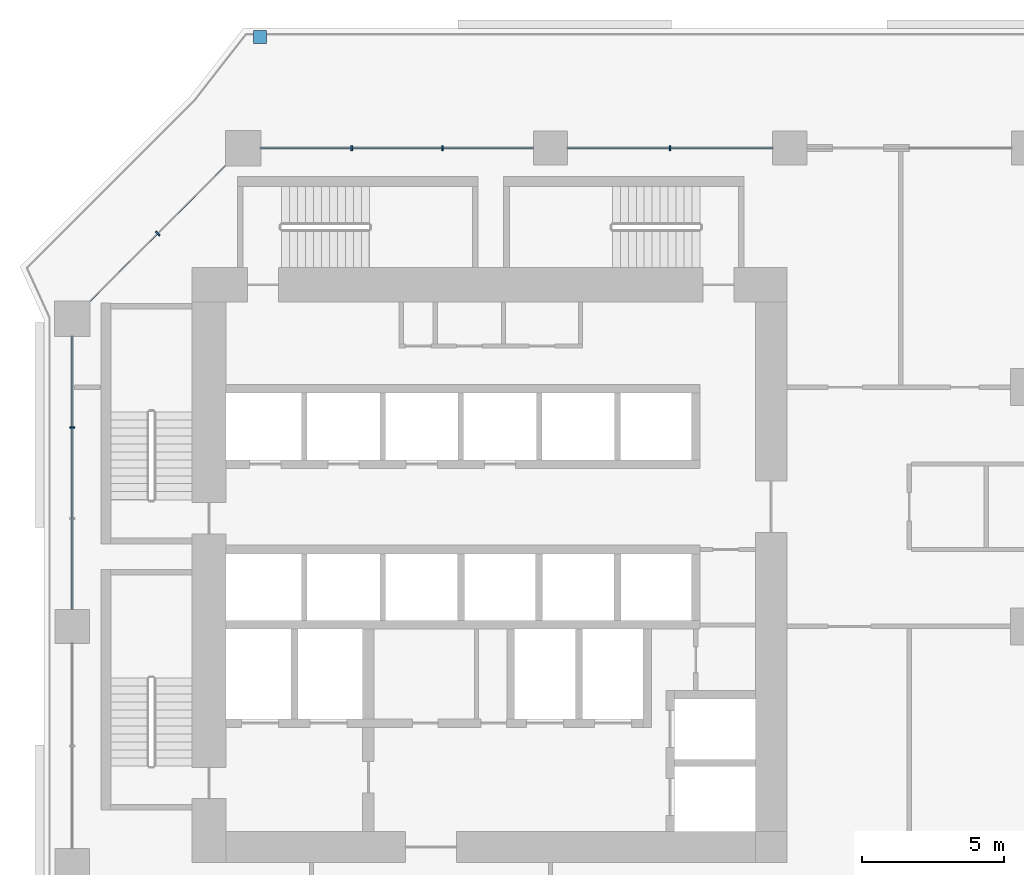
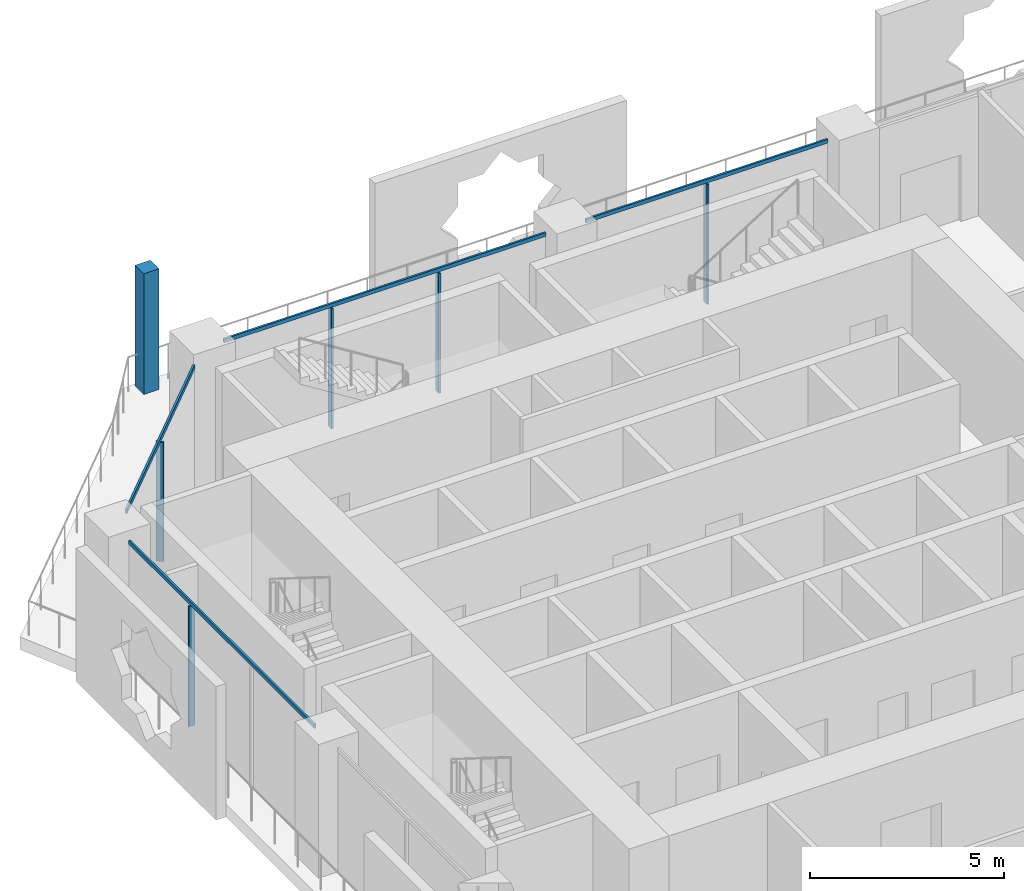
# One storey, part 8 of 26: 10 members, 4 elements without a shape of their own.
"""IFC4 building model written with IfcOpenShell, lengths in metres."""

from ifc_helpers import new_model, si_unit, direction, frame, origin, origin_2d, place, context, subcontext, project, spatial, rectangle, extrude, material, layer, layer_set, material_profile, profile_set, type_object, element, aggregate, save


model = new_model("IFC4")

# Units and contexts
model_context = context("Model", 3, precision=1e-05, world=origin(), true_north=direction((0.0, 1.0)))
body_context = subcontext(model_context, "Body", "Model", "MODEL_VIEW")
ifc_project = project(units=[si_unit("LENGTHUNIT", "METRE"), si_unit("AREAUNIT", "SQUARE_METRE"), si_unit("VOLUMEUNIT", "CUBIC_METRE"), si_unit("PLANEANGLEUNIT", "RADIAN"), si_unit("MASSUNIT", "GRAM", prefix="KILO")], contexts=[model_context])

# Site, building, storey
site_placement = place(None, origin())
site = spatial("IfcSite", under=ifc_project, at=site_placement, CompositionType="ELEMENT")
building_placement = place(site_placement, origin())
building = spatial("IfcBuilding", under=site, at=building_placement, Name="Kawkab Arch Medical Tower", CompositionType="ELEMENT")
storey_placement = place(building_placement, frame((0.0, 0.0, 51.800048828125)))
storey = spatial("IfcBuildingStorey", under=building, at=storey_placement, Name="L11", CompositionType="ELEMENT", Elevation=51.800048828125)

# Curtain wall, member
ifc_material_1 = material(Name="Bronze anodised aluminium curtain wall frame", Category="aluminium")
ifc_layer_1 = layer(ifc_material_1, 0.159912109375)
ifc_layer_set_1 = layer_set([ifc_layer_1], Name="Bronze anodised aluminium curtain wall frame")
curtain_wall_type_1 = type_object("IfcCurtainWallType", Name="CW1 ward curtain wall", PredefinedType="NOTDEFINED", material=ifc_layer_set_1)
placement = place(storey_placement, origin())
curtain_wall_1 = element("IfcCurtainWall", 1, at=placement, inside=storey, type_object=curtain_wall_type_1, Name="CW1 Ward curtain wall R01", PredefinedType="NOTDEFINED")
ifc_material_2 = material(Name="Bronze anodised aluminium curtain wall frame", Category="aluminium")
ifc_material_profile_1 = material_profile(ifc_material_2, rectangle(XDim=0.179931640625, YDim=0.06005859375, at=origin_2d()), Name="AL 60x180")
ifc_profile_set_1 = profile_set([ifc_material_profile_1], Name="Bronze anodised aluminium curtain wall frame")
member_type_1 = type_object("IfcMemberType", Name="CW1 mullion 60 x 180", PredefinedType="MULLION", material=ifc_profile_set_1)
member_1_placement = place(storey_placement, frame((0.0, -9.816650390625, 0.0), z_axis=(0.0, 0.0, 1.0), x_axis=(1.0, 0.0, 0.0)))
member_1 = element("IfcMember", 2, at=member_1_placement, type_object=member_type_1, Name="CW1 mullion 1.1", PredefinedType="MULLION", context=body_context, shape_type="SweptSolid", body=[
    extrude(rectangle(XDim=0.179931640625, YDim=0.06005859375, at=origin_2d()), origin(), (0.0, 0.0, 1.0), 3.780029296875),
])

# Curtain wall, members
curtain_wall_2 = element("IfcCurtainWall", 3, at=placement, inside=storey, type_object=curtain_wall_type_1, Name="CW1 Ward curtain wall R11", PredefinedType="NOTDEFINED")
member_2_placement = place(storey_placement, frame((21.0, 0.0, 0.0), z_axis=(0.0, 0.0, 1.0), x_axis=(0.0, -1.0, 0.0)))
member_2 = element("IfcMember", 4, at=member_2_placement, type_object=member_type_1, Name="CW1 mullion 7.1", PredefinedType="MULLION", context=body_context, shape_type="SweptSolid", body=[
    extrude(rectangle(XDim=0.179931640625, YDim=0.06005859375, at=origin_2d()), origin(), (0.0, 0.0, 1.0), 3.780029296875),
])
member_3_placement = place(storey_placement, frame((13.00830078125, 0.0, 0.0), z_axis=(0.0, 0.0, 1.0), x_axis=(0.0, -1.0, 0.0)))
member_3 = element("IfcMember", 5, at=member_3_placement, type_object=member_type_1, Name="CW1 mullion 8.1", PredefinedType="MULLION", context=body_context, shape_type="SweptSolid", body=[
    extrude(rectangle(XDim=0.179931640625, YDim=0.06005859375, at=origin_2d()), origin(), (0.0, 0.0, 1.0), 3.780029296875),
])
member_4_placement = place(storey_placement, frame((9.816650390625, 0.0, 0.0), z_axis=(0.0, 0.0, 1.0), x_axis=(0.0, -1.0, 0.0)))
member_4 = element("IfcMember", 6, at=member_4_placement, type_object=member_type_1, Name="CW1 mullion 8.2", PredefinedType="MULLION", context=body_context, shape_type="SweptSolid", body=[
    extrude(rectangle(XDim=0.179931640625, YDim=0.06005859375, at=origin_2d()), origin(), (0.0, 0.0, 1.0), 3.780029296875),
])

# Member
ifc_material_3 = material(Name="Bronze anodised aluminium curtain wall frame", Category="aluminium")
ifc_material_profile_2 = material_profile(ifc_material_3, rectangle(XDim=0.06005859375, YDim=0.1201171875, at=origin_2d()), Name="AL 60x120")
ifc_profile_set_2 = profile_set([ifc_material_profile_2], Name="Bronze anodised aluminium curtain wall frame")
member_type_2 = type_object("IfcMemberType", Name="CW1 transom 120 x 60", PredefinedType="USERDEFINED", material=ifc_profile_set_2)
member_5_placement = place(storey_placement, frame((0.0, -6.625, 3.83984375), z_axis=(0.0, -1.0, 0.0), x_axis=(1.0, 0.0, 0.0)))
member_5 = element("IfcMember", 7, at=member_5_placement, type_object=member_type_2, Name="CW1 transom 1", ObjectType="TRANSOM", PredefinedType="USERDEFINED", context=body_context, shape_type="SweptSolid", body=[
    extrude(rectangle(XDim=0.06005859375, YDim=0.1201171875, at=origin_2d()), origin(), (0.0, 0.0, 1.0), 9.574951171875),
])

aggregate(curtain_wall_1, [member_5, member_1])

member_6_placement = place(storey_placement, frame((24.60009765625, 0.0, 3.83984375), z_axis=(-1.0, 0.0, 0.0), x_axis=(0.0, -1.0, 0.0)))
member_6 = element("IfcMember", 8, at=member_6_placement, type_object=member_type_2, Name="CW1 transom 7", ObjectType="TRANSOM", PredefinedType="USERDEFINED", context=body_context, shape_type="SweptSolid", body=[
    extrude(rectangle(XDim=0.06005859375, YDim=0.1201171875, at=origin_2d()), origin(), (0.0, 0.0, 1.0), 7.2001953125),
])

member_7_placement = place(storey_placement, frame((16.199951171875, 0.0, 3.83984375), z_axis=(-1.0, 0.0, 0.0), x_axis=(0.0, -1.0, 0.0)))
member_7 = element("IfcMember", 9, at=member_7_placement, type_object=member_type_2, Name="CW1 transom 8", ObjectType="TRANSOM", PredefinedType="USERDEFINED", context=body_context, shape_type="SweptSolid", body=[
    extrude(rectangle(XDim=0.06005859375, YDim=0.1201171875, at=origin_2d()), origin(), (0.0, 0.0, 1.0), 9.574951171875),
])

aggregate(curtain_wall_2, [member_6, member_2, member_7, member_3, member_4])

# Curtain wall, members
ifc_material_4 = material(Name="Bronze anodised aluminium curtain wall frame", Category="aluminium")
ifc_layer_2 = layer(ifc_material_4, 0.159912109375)
ifc_layer_set_2 = layer_set([ifc_layer_2], Name="Bronze anodised aluminium curtain wall frame")
curtain_wall_type_2 = type_object("IfcCurtainWallType", Name="CW2 chamfer curtain wall", PredefinedType="NOTDEFINED", material=ifc_layer_set_2)
curtain_wall_3 = element("IfcCurtainWall", 10, at=placement, inside=storey, type_object=curtain_wall_type_2, Name="CW2 Chamfer curtain wall R12", PredefinedType="NOTDEFINED")
ifc_material_5 = material(Name="Bronze anodised aluminium curtain wall frame", Category="aluminium")
ifc_material_profile_3 = material_profile(ifc_material_5, rectangle(XDim=0.199951171875, YDim=0.06005859375, at=origin_2d()), Name="AL 60x200")
ifc_profile_set_3 = profile_set([ifc_material_profile_3], Name="Bronze anodised aluminium curtain wall frame")
member_type_3 = type_object("IfcMemberType", Name="CW2 mullion 60 x 200", PredefinedType="MULLION", material=ifc_profile_set_3)
member_8_placement = place(storey_placement, frame((3.0, -3.0, 0.0), z_axis=(0.0, 0.0, 1.0), x_axis=(0.707106781187, -0.707106781187, 0.0)))
member_8 = element("IfcMember", 11, at=member_8_placement, type_object=member_type_3, Name="CW2 mullion 1.1", PredefinedType="MULLION", context=body_context, shape_type="SweptSolid", body=[
    extrude(rectangle(XDim=0.199951171875, YDim=0.06005859375, at=origin_2d()), origin(), (0.0, 0.0, 1.0), 3.760009765625),
])
ifc_material_6 = material(Name="Bronze anodised aluminium curtain wall frame", Category="aluminium")
ifc_material_profile_4 = material_profile(ifc_material_6, rectangle(XDim=0.06005859375, YDim=0.139892578125, at=origin_2d()), Name="AL 60x140")
ifc_profile_set_4 = profile_set([ifc_material_profile_4], Name="Bronze anodised aluminium curtain wall frame")
member_type_4 = type_object("IfcMemberType", Name="CW2 transom 140 x 60", PredefinedType="USERDEFINED", material=ifc_profile_set_4)
member_9_placement = place(storey_placement, frame((5.375, -0.625, 3.829833984375), z_axis=(-0.707106781187, -0.707106781187, 0.0), x_axis=(0.707106781187, -0.707106781187, 0.0)))
member_9 = element("IfcMember", 12, at=member_9_placement, type_object=member_type_4, Name="CW2 transom 1", ObjectType="TRANSOM", PredefinedType="USERDEFINED", context=body_context, shape_type="SweptSolid", body=[
    extrude(rectangle(XDim=0.06005859375, YDim=0.139892578125, at=origin_2d()), origin(), (0.0, 0.0, 1.0), 6.717529296875),
])
aggregate(curtain_wall_3, [member_9, member_8])

# Curtain wall, member
ifc_material_7 = material(Name="Bronze anodised aluminium climber frame, planted", Category="aluminium")
ifc_layer_3 = layer(ifc_material_7, 0.449951171875)
ifc_layer_set_3 = layer_set([ifc_layer_3], Name="Bronze anodised aluminium climber frame, planted")
curtain_wall_type_3 = type_object("IfcCurtainWallType", Name="Planted climber frame", PredefinedType="NOTDEFINED", material=ifc_layer_set_3)
curtain_wall_4 = element("IfcCurtainWall", 13, at=placement, inside=storey, type_object=curtain_wall_type_3, Name="Planted climber frame L11", PredefinedType="NOTDEFINED")
ifc_material_8 = material(Name="Bronze anodised aluminium climber frame, planted", Category="aluminium")
ifc_material_profile_5 = material_profile(ifc_material_8, rectangle(XDim=0.449951171875, YDim=0.449951171875, at=origin_2d()), Name="Post 450x450")
ifc_profile_set_5 = profile_set([ifc_material_profile_5], Name="Bronze anodised aluminium climber frame, planted")
member_type_5 = type_object("IfcMemberType", Name="Planted climber post 450 x 450", PredefinedType="MULLION", material=ifc_profile_set_5)
member_10_placement = place(storey_placement, frame((6.596923828125, 3.89990234375, 0.0), z_axis=(0.0, 0.0, 1.0), x_axis=(1.0, 0.0, 0.0)))
member_10 = element("IfcMember", 14, at=member_10_placement, type_object=member_type_5, Name="Planted climber post L11.LOG-01-01.1", PredefinedType="MULLION", context=body_context, shape_type="SweptSolid", body=[
    extrude(rectangle(XDim=0.449951171875, YDim=0.449951171875, at=origin_2d()), origin(), (0.0, 0.0, 1.0), 3.800048828125),
])
aggregate(curtain_wall_4, [member_10])

save(model, "model.ifc")
